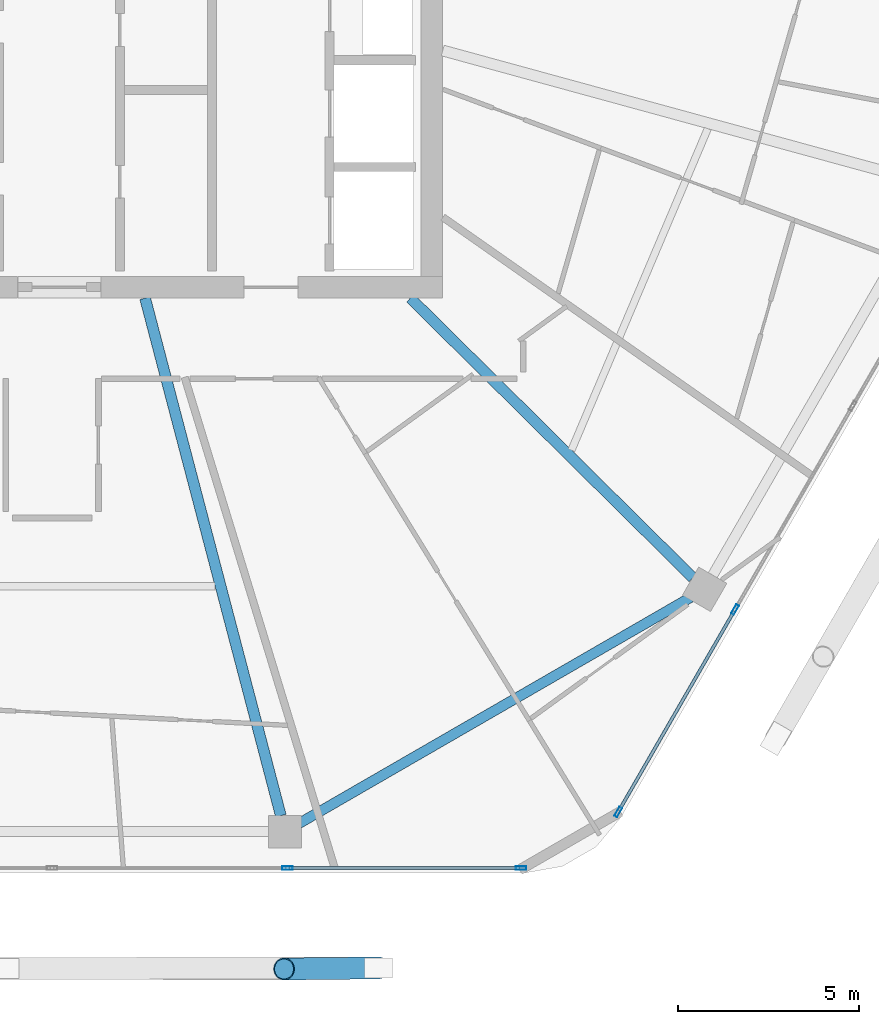
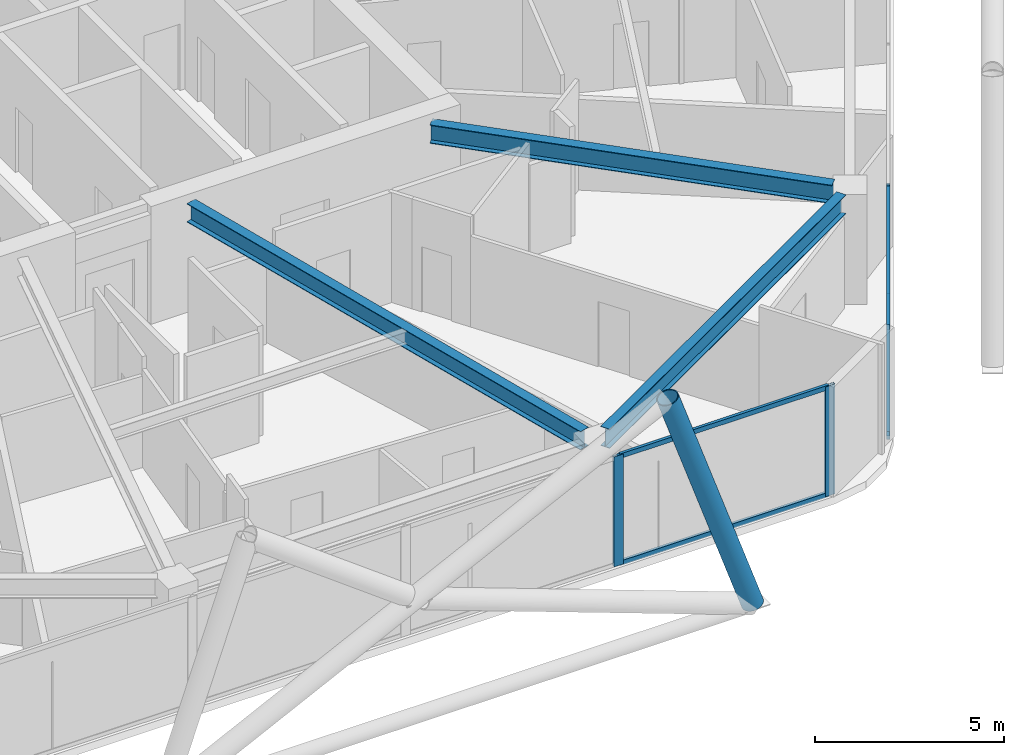
# One storey, part 8 of 27: 9 members, 3 beams, 2 elements without a shape of their own.
"""IFC4 building model written with IfcOpenShell, lengths in metres."""

from ifc_helpers import new_model, si_unit, direction, frame, origin, origin_2d, place, context, subcontext, project, spatial, hollow_rectangle, hollow_circle, i_section, extrude, material, material_profile, profile_set, type_object, element, aggregate, save


model = new_model("IFC4")

# Units and contexts
model_context = context("Model", 3, precision=1e-05, world=origin(), true_north=direction((0.0, 1.0)))
body_context = subcontext(model_context, "Body", "Model", "MODEL_VIEW")
ifc_project = project(units=[si_unit("LENGTHUNIT", "METRE"), si_unit("AREAUNIT", "SQUARE_METRE"), si_unit("VOLUMEUNIT", "CUBIC_METRE"), si_unit("PLANEANGLEUNIT", "RADIAN"), si_unit("MASSUNIT", "GRAM", prefix="KILO")], contexts=[model_context])

# Site, building, storey
site_placement = place(None, origin())
site = spatial("IfcSite", under=ifc_project, at=site_placement, CompositionType="ELEMENT")
building_placement = place(site_placement, origin())
building = spatial("IfcBuilding", under=site, at=building_placement, Name="Zuhravey Tower", CompositionType="ELEMENT")
storey_placement = place(building_placement, frame((0.0, 0.0, 261.60009765625)))
storey = spatial("IfcBuildingStorey", under=building, at=storey_placement, Name="L66", CompositionType="ELEMENT", Elevation=261.60009765625)

# Curtain wall, members
ifc_material_1 = material(Name="Thermally broken anodised aluminium", Category="aluminium")
curtain_wall_type = type_object("IfcCurtainWallType", Name="Zone 3-4 High-Rise Curtain Wall CW4", PredefinedType="NOTDEFINED", material=ifc_material_1)
curtain_wall_1_placement = place(storey_placement, origin())
curtain_wall_1 = element("IfcCurtainWall", 1, at=curtain_wall_1_placement, inside=storey, type_object=curtain_wall_type, Name="L66 CW4 CW-L66-F6-1", PredefinedType="NOTDEFINED")
ifc_material_2 = material(Name="Anodised aluminium", Category="aluminium")
ifc_material_profile_1 = material_profile(ifc_material_2, hollow_rectangle(XDim=0.090087890625, YDim=0.284912109375, WallThickness=0.0048828125, at=origin_2d()), Name="ALU-RHS-90x285x5")
ifc_profile_set_1 = profile_set([ifc_material_profile_1], Name="Anodised aluminium")
member_type_1 = type_object("IfcMemberType", Name="Curtain-Wall Mullion 90x180", PredefinedType="MULLION", material=ifc_profile_set_1)
member_1_placement = place(storey_placement, frame((54.885498046875, 13.58349609375, 0.0), z_axis=(0.0, 0.0, 1.0), x_axis=(0.866024851021, -0.500000957414, 0.0)))
member_1 = element("IfcMember", 2, at=member_1_placement, type_object=member_type_1, Name="CW4 mullion 4", PredefinedType="MULLION", context=body_context, shape_type="SweptSolid", body=[
    extrude(hollow_rectangle(XDim=0.090087890625, YDim=0.284912109375, WallThickness=0.0048828125, at=origin_2d()), origin(), (0.0, 0.0, 1.0), 3.5498046875),
])
member_2_placement = place(storey_placement, frame((51.65478515625, 7.98779296875, 0.0), z_axis=(0.0, 0.0, 1.0), x_axis=(0.866024851021, -0.500000957414, 0.0)))
member_2 = element("IfcMember", 3, at=member_2_placement, type_object=member_type_1, Name="CW4 mullion 5", PredefinedType="MULLION", context=body_context, shape_type="SweptSolid", body=[
    extrude(hollow_rectangle(XDim=0.090087890625, YDim=0.284912109375, WallThickness=0.0048828125, at=origin_2d()), origin(), (0.0, 0.0, 1.0), 3.5498046875),
])

curtain_wall_2_placement = place(storey_placement, origin())
curtain_wall_2 = element("IfcCurtainWall", 4, at=curtain_wall_2_placement, inside=storey, type_object=curtain_wall_type, Name="L66 CW4 CW-L66-F5-1", PredefinedType="NOTDEFINED")
member_3_placement = place(storey_placement, frame((48.9677734375, 6.436279296875, 0.0), z_axis=(0.0, 0.0, 1.0), x_axis=(0.0, -1.0, 0.0)))
member_3 = element("IfcMember", 5, at=member_3_placement, type_object=member_type_1, Name="CW4 mullion 1", PredefinedType="MULLION", context=body_context, shape_type="SweptSolid", body=[
    extrude(hollow_rectangle(XDim=0.090087890625, YDim=0.284912109375, WallThickness=0.0048828125, at=origin_2d()), origin(), (0.0, 0.0, 1.0), 3.5498046875),
])
member_4_placement = place(storey_placement, frame((42.50634765625, 6.436279296875, 0.0), z_axis=(0.0, 0.0, 1.0), x_axis=(0.0, -1.0, 0.0)))
member_4 = element("IfcMember", 6, at=member_4_placement, type_object=member_type_1, Name="CW4 mullion 2", PredefinedType="MULLION", context=body_context, shape_type="SweptSolid", body=[
    extrude(hollow_rectangle(XDim=0.090087890625, YDim=0.284912109375, WallThickness=0.0048828125, at=origin_2d()), origin(), (0.0, 0.0, 1.0), 3.5498046875),
])

# Member
ifc_material_profile_2 = material_profile(ifc_material_2, hollow_rectangle(XDim=0.090087890625, YDim=0.14990234375, WallThickness=0.0048828125, at=origin_2d()), Name="ALU-RHS-90x150x5")
ifc_profile_set_2 = profile_set([ifc_material_profile_2], Name="Anodised aluminium")
member_type_2 = type_object("IfcMemberType", Name="Curtain-Wall Transom 90x150", PredefinedType="USERDEFINED", material=ifc_profile_set_2)
member_5_placement = place(storey_placement, frame((54.863037109375, 13.544677734375, 0.044921875), z_axis=(-0.499980071345, -0.866036909293, 0.0), x_axis=(0.866036909293, -0.499980071345, 0.0)))
member_5 = element("IfcMember", 7, at=member_5_placement, type_object=member_type_2, Name="CW4 transom 4.1", ObjectType="TRANSOM", PredefinedType="USERDEFINED", context=body_context, shape_type="SweptSolid", body=[
    extrude(hollow_rectangle(XDim=0.090087890625, YDim=0.14990234375, WallThickness=0.0048828125, at=origin_2d()), origin(), (0.0, 0.0, 1.0), 6.371337890625),
])

member_6_placement = place(storey_placement, frame((54.863037109375, 13.544677734375, 3.5048828125), z_axis=(-0.499980071345, -0.866036909293, 0.0), x_axis=(0.866036909293, -0.499980071345, 0.0)))
member_6 = element("IfcMember", 8, at=member_6_placement, type_object=member_type_2, Name="CW4 transom 4.2", ObjectType="TRANSOM", PredefinedType="USERDEFINED", context=body_context, shape_type="SweptSolid", body=[
    extrude(hollow_rectangle(XDim=0.090087890625, YDim=0.14990234375, WallThickness=0.0048828125, at=origin_2d()), origin(), (0.0, 0.0, 1.0), 6.371337890625),
])

aggregate(curtain_wall_1, [member_1, member_2, member_5, member_6])

member_7_placement = place(storey_placement, frame((48.922607421875, 6.436279296875, 0.044921875), z_axis=(-1.0, 0.0, 0.0), x_axis=(0.0, -1.0, 0.0)))
member_7 = element("IfcMember", 9, at=member_7_placement, type_object=member_type_2, Name="CW4 transom 1.1", ObjectType="TRANSOM", PredefinedType="USERDEFINED", context=body_context, shape_type="SweptSolid", body=[
    extrude(hollow_rectangle(XDim=0.090087890625, YDim=0.14990234375, WallThickness=0.0048828125, at=origin_2d()), origin(), (0.0, 0.0, 1.0), 6.371337890625),
])

member_8_placement = place(storey_placement, frame((48.922607421875, 6.436279296875, 3.5048828125), z_axis=(-1.0, 0.0, 0.0), x_axis=(0.0, -1.0, 0.0)))
member_8 = element("IfcMember", 10, at=member_8_placement, type_object=member_type_2, Name="CW4 transom 1.2", ObjectType="TRANSOM", PredefinedType="USERDEFINED", context=body_context, shape_type="SweptSolid", body=[
    extrude(hollow_rectangle(XDim=0.090087890625, YDim=0.14990234375, WallThickness=0.0048828125, at=origin_2d()), origin(), (0.0, 0.0, 1.0), 6.371337890625),
])

aggregate(curtain_wall_2, [member_3, member_4, member_7, member_8])

ifc_material_3 = material(Name="Steel SM355", Category="steel")
ifc_material_profile_3 = material_profile(ifc_material_3, hollow_circle(Radius=0.3046875, WallThickness=0.028076171875, at=origin_2d()), Name="CHS-609.6x28")
ifc_profile_set_3 = profile_set([ifc_material_profile_3], Name="Steel SM355")
member_type_3 = type_object("IfcMemberType", Name="Exoskeleton Zone 3 Diagrid CHS610x28", PredefinedType="BRACE", material=ifc_profile_set_3)
member_9_placement = place(storey_placement, frame((45.022705078125, 3.67626953125, -0.446044921875), z_axis=(-0.326058009418, -0.003722541376, 0.94534243382), x_axis=(0.011416063057, -0.999934834629, 0.0)))
element("IfcMember", 11, at=member_9_placement, inside=storey, type_object=member_type_3, Name="L66 Face 5 Diagrid Brace 4", PredefinedType="BRACE", context=body_context, shape_type="SweptSolid", body=[
    extrude(hollow_circle(Radius=0.3046875, WallThickness=0.028076171875, at=origin_2d()), origin(), (0.0, 0.0, 1.0), 8.001220703125),
])

# Beams
ifc_material_profile_4 = material_profile(ifc_material_3, i_section(OverallWidth=0.280029296875, OverallDepth=0.6201171875, WebThickness=0.011962890625, FlangeThickness=0.02001953125, at=origin_2d()), Name="H-620x280x12x20")
ifc_profile_set_4 = profile_set([ifc_material_profile_4], Name="Steel SM355")
beam_type_1 = type_object("IfcBeamType", Name="Perimeter Ring Beam H620x280", PredefinedType="BEAM", material=ifc_profile_set_4)
beam_1_placement = place(storey_placement, frame((42.833251953125, 7.6728515625, 3.239990234375), z_axis=(0.866025131093, 0.500000472315, 0.0), x_axis=(-0.500000472315, 0.866025131093, 0.0)))
element("IfcBeam", 12, at=beam_1_placement, inside=storey, type_object=beam_type_1, Name="L66 PB3 BM-L66-PB-10", PredefinedType="BEAM", context=body_context, shape_type="SweptSolid", body=[
    extrude(i_section(OverallWidth=0.280029296875, OverallDepth=0.6201171875, WebThickness=0.011962890625, FlangeThickness=0.02001953125, at=origin_2d()), origin(), (0.0, 0.0, 1.0), 12.49169921875),
])
ifc_material_profile_5 = material_profile(ifc_material_3, i_section(OverallWidth=0.300048828125, OverallDepth=0.60009765625, WebThickness=0.011962890625, FlangeThickness=0.02001953125, at=origin_2d()), Name="H-600x300x12x20")
ifc_profile_set_5 = profile_set([ifc_material_profile_5], Name="Steel SM355")
beam_type_2 = type_object("IfcBeamType", Name="Radial Primary Girder H600x300", PredefinedType="BEAM", material=ifc_profile_set_5)
beam_2_placement = place(storey_placement, frame((38.571533203125, 22.197021484375, 3.25), z_axis=(0.253731415841, -0.967274712073, 0.0), x_axis=(0.967274712073, 0.253731415841, 0.0)))
element("IfcBeam", 13, at=beam_2_placement, inside=storey, type_object=beam_type_2, Name="L66 RG3 BM-L66-RAD-10", PredefinedType="BEAM", context=body_context, shape_type="SweptSolid", body=[
    extrude(i_section(OverallWidth=0.300048828125, OverallDepth=0.60009765625, WebThickness=0.011962890625, FlangeThickness=0.02001953125, at=origin_2d()), origin(), (0.0, 0.0, 1.0), 14.796630859375),
])
beam_3_placement = place(storey_placement, frame((45.90673828125, 22.197021484375, 3.25), z_axis=(0.710816516282, -0.703377480576, 0.0), x_axis=(0.703377480576, 0.710816516282, 0.0)))
element("IfcBeam", 14, at=beam_3_placement, inside=storey, type_object=beam_type_2, Name="L66 RG3 BM-L66-RAD-11", PredefinedType="BEAM", context=body_context, shape_type="SweptSolid", body=[
    extrude(i_section(OverallWidth=0.300048828125, OverallDepth=0.60009765625, WebThickness=0.011962890625, FlangeThickness=0.02001953125, at=origin_2d()), origin(), (0.0, 0.0, 1.0), 10.994384765625),
])

save(model, "model.ifc")
